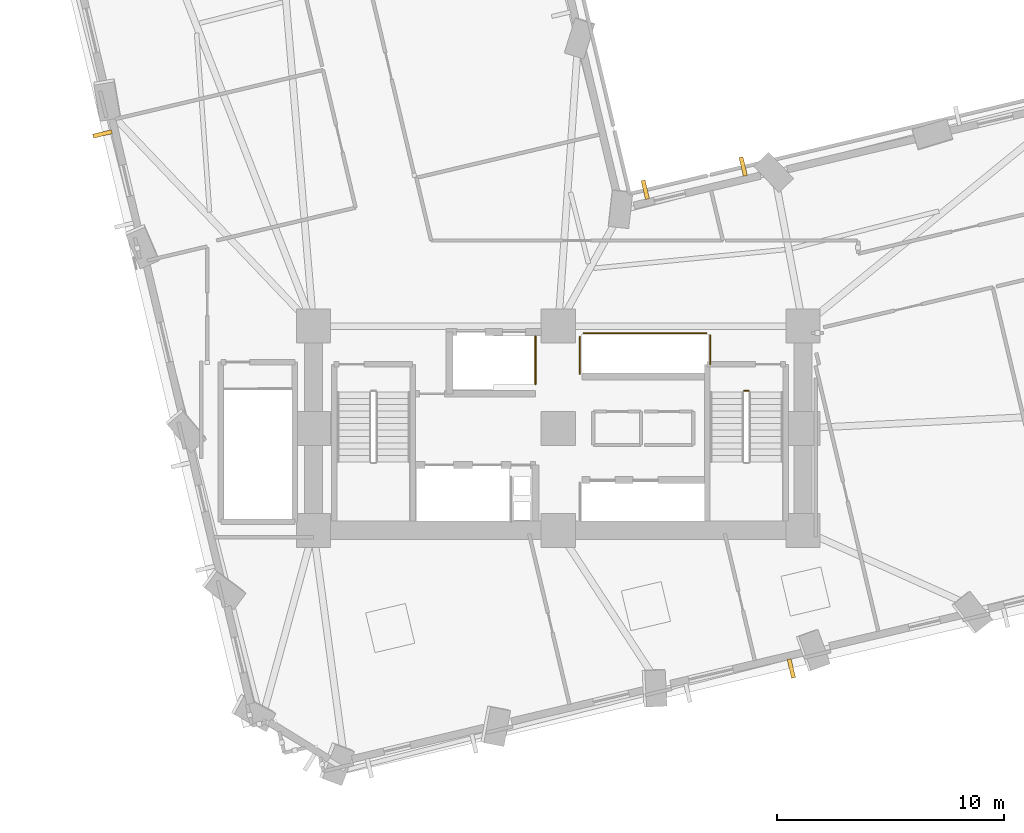
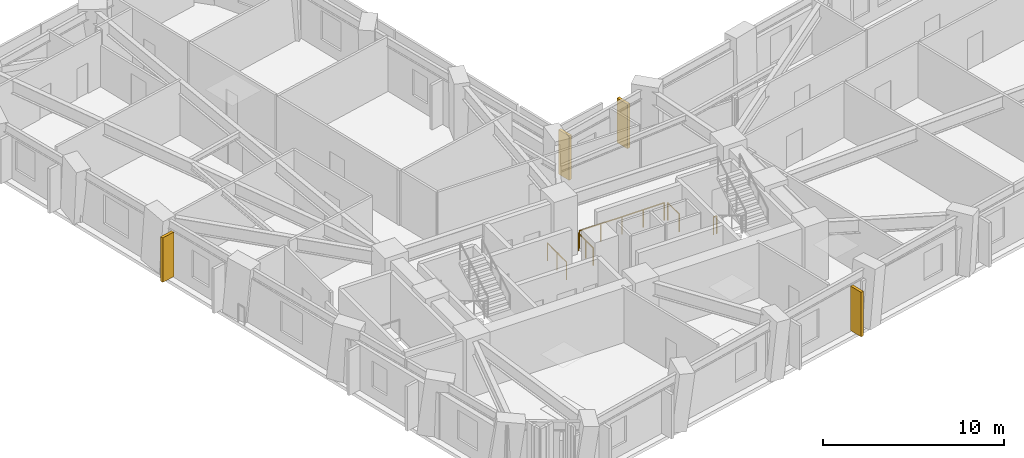
# One storey, part 12 of 14: 5 railings, 4 shading devices.
"""IFC4 building model written with IfcOpenShell, lengths in metres."""

import ifcopenshell
import ifcopenshell.guid

model = None  # the IFC model being written
_history = None  # IfcOwnerHistory: only IFC2X3 demands one
_inside = {}  # id of a spatial element -> (the spatial element, [elements in it])
_under = {}  # id of a project, library or spatial element -> (it, [spatial elements below it])
_declared = {}  # id of a project -> (the project, [libraries it declares])
_typed = {}  # id of a type object -> (the type object, [elements of that type])
_made_of = {}  # id of a material, layer set ... -> (it, [elements and type objects made of it])


def new_model(schema):
    """Start an empty IFC model of exactly this schema.

    Asked for "IFC4X3", IfcOpenShell would pick the latest addendum, in which some entities
    have other attributes; the version numbers below select the first issue.
    IFC2X3 requires an IfcOwnerHistory on every rooted entity: one is made here for all.
    """
    global model, _history
    if schema == "IFC4X3":
        model = ifcopenshell.file(schema_version=(4, 3, 0, 0))
    else:
        model = ifcopenshell.file(schema=schema)
    _inside.clear()
    _under.clear()
    _declared.clear()
    _typed.clear()
    _made_of.clear()
    _history = None
    if model.schema == "IFC2X3":
        org = make("IfcOrganization", Name="unknown")
        user = make(
            "IfcPersonAndOrganization",
            ThePerson=make("IfcPerson", FamilyName="unknown"),
            TheOrganization=org,
        )
        app = make(
            "IfcApplication",
            ApplicationDeveloper=org,
            Version="unknown",
            ApplicationFullName="unknown",
            ApplicationIdentifier="unknown",
        )
        _history = make(
            "IfcOwnerHistory",
            OwningUser=user,
            OwningApplication=app,
            ChangeAction="ADDED",
            CreationDate=0,
        )
    return model


def make(cls, **values):
    """One entity of the class cls with the attributes given. An attribute that is None is left unset."""
    return model.create_entity(
        cls, **{name: value for name, value in values.items() if value is not None}
    )


def rooted(cls, **values):
    """An entity with a GlobalId (a new one), such as an element, a storey or a relation."""
    return make(cls, GlobalId=ifcopenshell.guid.new(), OwnerHistory=_history, **values)


def si_unit(unit_type, name, prefix=None):
    """IfcSIUnit, for example si_unit("LENGTHUNIT", "METRE", prefix="MILLI")."""
    return make("IfcSIUnit", UnitType=unit_type, Prefix=prefix, Name=name)


def assignment(units):
    """IfcUnitAssignment: the units of a project."""
    return None if units is None else make("IfcUnitAssignment", Units=units)


def point(xyz):
    """IfcCartesianPoint."""
    return None if xyz is None else make("IfcCartesianPoint", Coordinates=xyz)


def direction(xyz):
    """IfcDirection."""
    return None if xyz is None else make("IfcDirection", DirectionRatios=xyz)


def frame(location, z_axis=None, x_axis=None):
    """IfcAxis2Placement3D, a coordinate frame: its origin and axes. An axis left out is left unset."""
    return make(
        "IfcAxis2Placement3D",
        Location=point(location),
        Axis=direction(z_axis),
        RefDirection=direction(x_axis),
    )


def frame_2d(location, x_axis=None):
    """IfcAxis2Placement2D, a coordinate frame in the plane: its origin and x axis."""
    return make(
        "IfcAxis2Placement2D", Location=point(location), RefDirection=direction(x_axis)
    )


def origin():
    """The frame at (0, 0, 0) with its axes left unset."""
    return frame((0.0, 0.0, 0.0))


def origin_2d():
    """The frame at (0, 0) in the plane with its x axis left unset."""
    return frame_2d((0.0, 0.0))


def place(relative_to, where):
    """IfcLocalPlacement: puts the frame where relative to a parent placement (None: the world)."""
    return make(
        "IfcLocalPlacement", PlacementRelTo=relative_to, RelativePlacement=where
    )


def context(
    kind, dimensions, precision=None, world=None, true_north=None, identifier=None
):
    """IfcGeometricRepresentationContext, for example the 3D "Model" context."""
    return make(
        "IfcGeometricRepresentationContext",
        ContextIdentifier=identifier,
        ContextType=kind,
        CoordinateSpaceDimension=dimensions,
        Precision=precision,
        WorldCoordinateSystem=world,
        TrueNorth=true_north,
    )


def subcontext(parent, identifier, kind, view, scale=None):
    """IfcGeometricRepresentationSubContext, for example "Body" below "Model"."""
    return make(
        "IfcGeometricRepresentationSubContext",
        ContextIdentifier=identifier,
        ContextType=kind,
        ParentContext=parent,
        TargetScale=scale,
        TargetView=view,
    )


def project(units=None, contexts=None):
    """IfcProject with its units and contexts."""
    return rooted(
        "IfcProject",
        Name="project",
        RepresentationContexts=contexts,
        UnitsInContext=assignment(units),
    )


def spatial(cls, under=None, at=None, **own):
    """A site, building, storey or space (cls), placed at a placement, below another one or the project."""
    s = rooted(cls, ObjectPlacement=at, **own)
    if under is not None:
        _under.setdefault(under.id(), (under, []))[1].append(s)
    return s


def profile(cls, at=None, kind="AREA", **sizes):
    """A parametric profile (cls). Its sizes go by their IFC names, for example OverallWidth=200.0."""
    return make(cls, ProfileType=kind, Position=at, **sizes)


def rectangle(**sizes):
    """IfcRectangleProfileDef."""
    return profile("IfcRectangleProfileDef", **sizes)


def circle(**sizes):
    """IfcCircleProfileDef."""
    return profile("IfcCircleProfileDef", **sizes)


def extrude(swept, where, along, depth):
    """IfcExtrudedAreaSolid: the profile swept, set in the frame where, extruded along a direction by depth."""
    return make(
        "IfcExtrudedAreaSolid",
        SweptArea=swept,
        Position=where,
        ExtrudedDirection=direction(along),
        Depth=depth,
    )


def shape(context_of_items, identifier, shape_type, items):
    """IfcShapeRepresentation: the items that make up one representation, for example the "Body"."""
    return make(
        "IfcShapeRepresentation",
        ContextOfItems=context_of_items,
        RepresentationIdentifier=identifier,
        RepresentationType=shape_type,
        Items=items,
    )


def material(Name=None, Category=None):
    """IfcMaterial."""
    return make("IfcMaterial", Name=Name, Category=Category)


def made_of(thing, what):
    """Note that an element or type object is made of a material, layer set ...; save() writes the relation."""
    if what is not None:
        _made_of.setdefault(what.id(), (what, []))[1].append(thing)
    return thing


def type_object(cls, material=None, **own):
    """A type object (cls), such as IfcWallType, which elements share."""
    return made_of(rooted(cls, **own), material)


def element(
    cls,
    number,
    at=None,
    inside=None,
    cuts=None,
    type_object=None,
    material=None,
    context=None,
    identifier="Body",
    shape_type=None,
    held_by="IfcProductDefinitionShape",
    body=None,
    shapes=None,
    **own,
):
    """One element of the class cls, such as IfcWall. Its Tag is "e" and its number.

    at: its placement. inside: the storey or other place that contains it. cuts: it is an
    opening in that element (IfcRelVoidsElement). A single representation is given by context,
    identifier, shape_type and body (its items); several are given by shapes. held_by: the class
    of the entity that holds the representations. save() writes the other relations.
    """
    e = rooted(cls, Tag="e%d" % number, ObjectPlacement=at, **own)
    if body is not None:
        shapes = [shape(context, identifier, shape_type, body)]
    if shapes is not None:
        e.Representation = make(held_by, Representations=shapes)
    if inside is not None:
        _inside.setdefault(inside.id(), (inside, []))[1].append(e)
    if cuts is not None:
        rooted(
            "IfcRelVoidsElement", RelatingBuildingElement=cuts, RelatedOpeningElement=e
        )
    if type_object is not None:
        _typed.setdefault(type_object.id(), (type_object, []))[1].append(e)
    return made_of(e, material)


def aggregate(whole, parts):
    """IfcRelAggregates: a whole, such as a stair, and the parts it consists of."""
    return rooted("IfcRelAggregates", RelatingObject=whole, RelatedObjects=parts)


def save(model, path):
    """Write the relations noted so far, then the file.

    IfcRelAggregates (storeys below a building ...), IfcRelContainedInSpatialStructure (elements
    in a storey), IfcRelDefinesByType, IfcRelAssociatesMaterial and IfcRelDeclares: one each for
    every whole, place, type object, material and project.
    """
    for whole, parts in _under.values():
        aggregate(whole, parts)
    for where, things in _inside.values():
        rooted(
            "IfcRelContainedInSpatialStructure",
            RelatedElements=things,
            RelatingStructure=where,
        )
    for kind, things in _typed.values():
        rooted("IfcRelDefinesByType", RelatedObjects=things, RelatingType=kind)
    for what, things in _made_of.values():
        rooted("IfcRelAssociatesMaterial", RelatedObjects=things, RelatingMaterial=what)
    for by, libraries in _declared.values():
        rooted("IfcRelDeclares", RelatingContext=by, RelatedDefinitions=libraries)
    model.write(path)


model = new_model("IFC4")

# Units and contexts
model_context = context("Model", 3, precision=1e-05, world=origin(), true_north=direction((0.0, 1.0)))
body_context = subcontext(model_context, "Body", "Model", "MODEL_VIEW")
ifc_project = project(units=[si_unit("LENGTHUNIT", "METRE"), si_unit("AREAUNIT", "SQUARE_METRE"), si_unit("VOLUMEUNIT", "CUBIC_METRE"), si_unit("PLANEANGLEUNIT", "RADIAN"), si_unit("MASSUNIT", "GRAM", prefix="KILO")], contexts=[model_context])

# Site, building, storey
site_placement = place(None, origin())
site = spatial("IfcSite", under=ifc_project, at=site_placement, CompositionType="ELEMENT")
building_placement = place(site_placement, origin())
building = spatial("IfcBuilding", under=site, at=building_placement, Name="Gaonmaruhae Medical Tower", CompositionType="ELEMENT")
storey_placement = place(building_placement, frame((0.0, 0.0, 79.0)))
storey = spatial("IfcBuildingStorey", under=building, at=storey_placement, Name="L18", CompositionType="ELEMENT", Elevation=79.0)

# Shading devices
ifc_material_1 = material(Name="Pigmented coral precast concrete C45/55", Category="concrete")
shading_device_type = type_object("IfcShadingDeviceType", Name="SD-FIN1 Tower Vertical Coral Precast Shading Fin", PredefinedType="USERDEFINED", material=ifc_material_1)
for number, where, z_axis, x_axis, name in (
    (1, (35.07958984375, 1.7060546875, 0.04248046875), (0.0, 0.0, 1.0), (-0.973174857504, -0.230066722329, 0.0), "L18 Vertical Coral Precast Shading Fin S03"),
    (2, (28.639404296875, 22.82080078125, 0.04248046875), (0.0, 0.0, 1.0), (0.973174857504, 0.230066722329, 0.0), "L18 Vertical Coral Precast Shading Fin EN04"),
    (3, (32.95654296875, 23.84130859375, 0.04248046875), (0.0, 0.0, 1.0), (0.973174857504, 0.230066722329, 0.0), "L18 Vertical Coral Precast Shading Fin EN04B"),
    (4, (4.698974609375, 25.2822265625, 0.04248046875), (0.0, 0.0, 1.0), (-0.230049737188, 0.973178872777, 0.0), "L18 Vertical Coral Precast Shading Fin W03B"),
):
    element("IfcShadingDevice", number, at=place(storey_placement, frame(where, z_axis=z_axis, x_axis=x_axis)), inside=storey, type_object=shading_device_type, Name=name, ObjectType="FIN", PredefinedType="USERDEFINED", context=body_context, shape_type="SweptSolid", body=[
        extrude(rectangle(XDim=0.179931640625, YDim=0.85009765625, at=origin_2d()), origin(), (0.0, 0.0, 1.0), 3.0),
    ])

# Railings
ifc_material_2 = material(Name="Stainless steel 304 balustrade", Category="steel")
railing_type = type_object("IfcRailingType", Name="SG-112 Stair Well & Ramp Void Safety Balustrade", PredefinedType="BALUSTRADE", material=ifc_material_2)
railing_1_placement = place(storey_placement, frame((33.0, 13.949951171875, 0.0)))
element("IfcRailing", 5, at=railing_1_placement, inside=storey, type_object=railing_type, Name="L18 ST-02 stair guard 4", PredefinedType="BALUSTRADE", context=body_context, shape_type="SweptSolid", body=[
    extrude(circle(Radius=0.02392578125, at=origin_2d()), frame((0.0, 0.0, 1.17578125), z_axis=(1.0, 0.0, 0.0), x_axis=(0.0, 1.0, 0.0)), (0.0, 0.0, 1.0), 0.199951171875),
    extrude(circle(Radius=0.02099609375, at=origin_2d()), origin(), (0.0, 0.0, 1.0), 1.15185546875),
    extrude(circle(Radius=0.02099609375, at=origin_2d()), frame((0.199951171875, 0.0, 0.0)), (0.0, 0.0, 1.0), 1.15185546875),
])
railing_2_placement = place(storey_placement, frame((23.794921875, 16.35498046875, 0.0)))
element("IfcRailing", 6, at=railing_2_placement, inside=storey, type_object=railing_type, Name="L18 Shaft Edge Safety Guard 10", PredefinedType="BALUSTRADE", context=body_context, shape_type="SweptSolid", body=[
    extrude(circle(Radius=0.02392578125, at=origin_2d()), frame((0.0, 0.0, 1.17578125), z_axis=(0.0, -1.0, 0.0), x_axis=(1.0, 0.0, 0.0)), (0.0, 0.0, 1.0), 2.10986328125),
    extrude(circle(Radius=0.02099609375, at=origin_2d()), origin(), (0.0, 0.0, 1.0), 1.15185546875),
    extrude(circle(Radius=0.02099609375, at=origin_2d()), frame((0.0, -1.054931640625, 0.0)), (0.0, 0.0, 1.0), 1.15185546875),
    extrude(circle(Radius=0.02099609375, at=origin_2d()), frame((0.0, -2.10986328125, 0.0)), (0.0, 0.0, 1.0), 1.15185546875),
])
railing_3_placement = place(storey_placement, frame((31.4951171875, 16.405029296875, 0.0)))
element("IfcRailing", 7, at=railing_3_placement, inside=storey, type_object=railing_type, Name="L18 Shaft Edge Safety Guard 11", PredefinedType="BALUSTRADE", context=body_context, shape_type="SweptSolid", body=[
    extrude(circle(Radius=0.02392578125, at=origin_2d()), frame((0.0, 0.0, 1.17578125), z_axis=(0.0, -1.0, 0.0), x_axis=(1.0, 0.0, 0.0)), (0.0, 0.0, 1.0), 1.284912109375),
    extrude(circle(Radius=0.02099609375, at=origin_2d()), origin(), (0.0, 0.0, 1.0), 1.15185546875),
    extrude(circle(Radius=0.02099609375, at=origin_2d()), frame((0.0, -1.284912109375, 0.0)), (0.0, 0.0, 1.0), 1.15185546875),
])
railing_4_placement = place(storey_placement, frame((25.7548828125, 14.695068359375, 0.0)))
element("IfcRailing", 8, at=railing_4_placement, inside=storey, type_object=railing_type, Name="L18 Shaft Edge Safety Guard 12", PredefinedType="BALUSTRADE", context=body_context, shape_type="SweptSolid", body=[
    extrude(circle(Radius=0.02392578125, at=origin_2d()), frame((0.0, 0.0, 1.17578125), z_axis=(0.0, 1.0, 0.0), x_axis=(-1.0, 0.0, 0.0)), (0.0, 0.0, 1.0), 1.635009765625),
    extrude(circle(Radius=0.02099609375, at=origin_2d()), origin(), (0.0, 0.0, 1.0), 1.15185546875),
    extrude(circle(Radius=0.02099609375, at=origin_2d()), frame((0.0, 0.8173828125, 0.0)), (0.0, 0.0, 1.0), 1.15185546875),
    extrude(circle(Radius=0.02099609375, at=origin_2d()), frame((0.0, 1.635009765625, 0.0)), (0.0, 0.0, 1.0), 1.15185546875),
])
railing_5_placement = place(storey_placement, frame((25.919921875, 16.4951171875, 0.0)))
element("IfcRailing", 9, at=railing_5_placement, inside=storey, type_object=railing_type, Name="L18 Shaft Edge Safety Guard 13", PredefinedType="BALUSTRADE", context=body_context, shape_type="SweptSolid", body=[
    extrude(circle(Radius=0.02392578125, at=origin_2d()), frame((0.0, 0.0, 1.17578125), z_axis=(1.0, 0.0, 0.0), x_axis=(0.0, 1.0, 0.0)), (0.0, 0.0, 1.0), 5.41015625),
    extrude(circle(Radius=0.02099609375, at=origin_2d()), origin(), (0.0, 0.0, 1.0), 1.15185546875),
    extrude(circle(Radius=0.02099609375, at=origin_2d()), frame((1.3525390625, 0.0, 0.0)), (0.0, 0.0, 1.0), 1.15185546875),
    extrude(circle(Radius=0.02099609375, at=origin_2d()), frame((2.705078125, 0.0, 0.0)), (0.0, 0.0, 1.0), 1.15185546875),
    extrude(circle(Radius=0.02099609375, at=origin_2d()), frame((4.0576171875, 0.0, 0.0)), (0.0, 0.0, 1.0), 1.15185546875),
    extrude(circle(Radius=0.02099609375, at=origin_2d()), frame((5.41015625, 0.0, 0.0)), (0.0, 0.0, 1.0), 1.15185546875),
])

save(model, "model.ifc")
